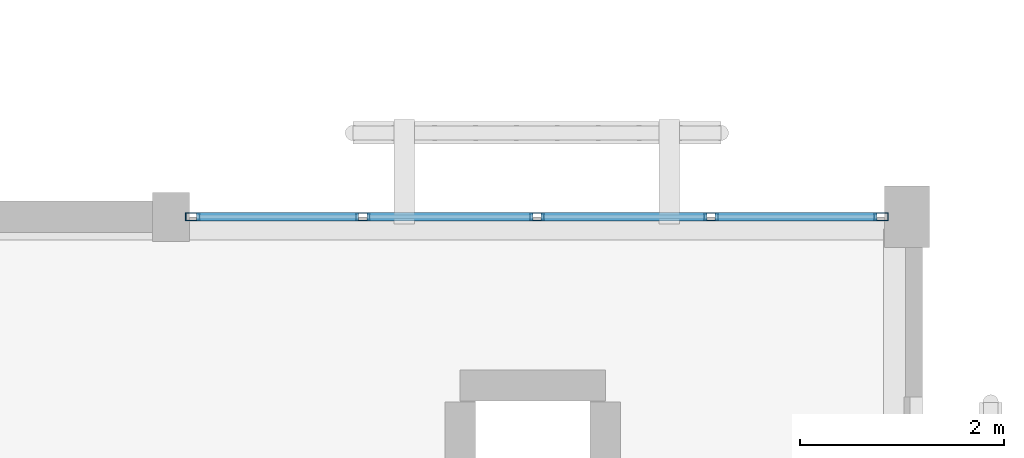
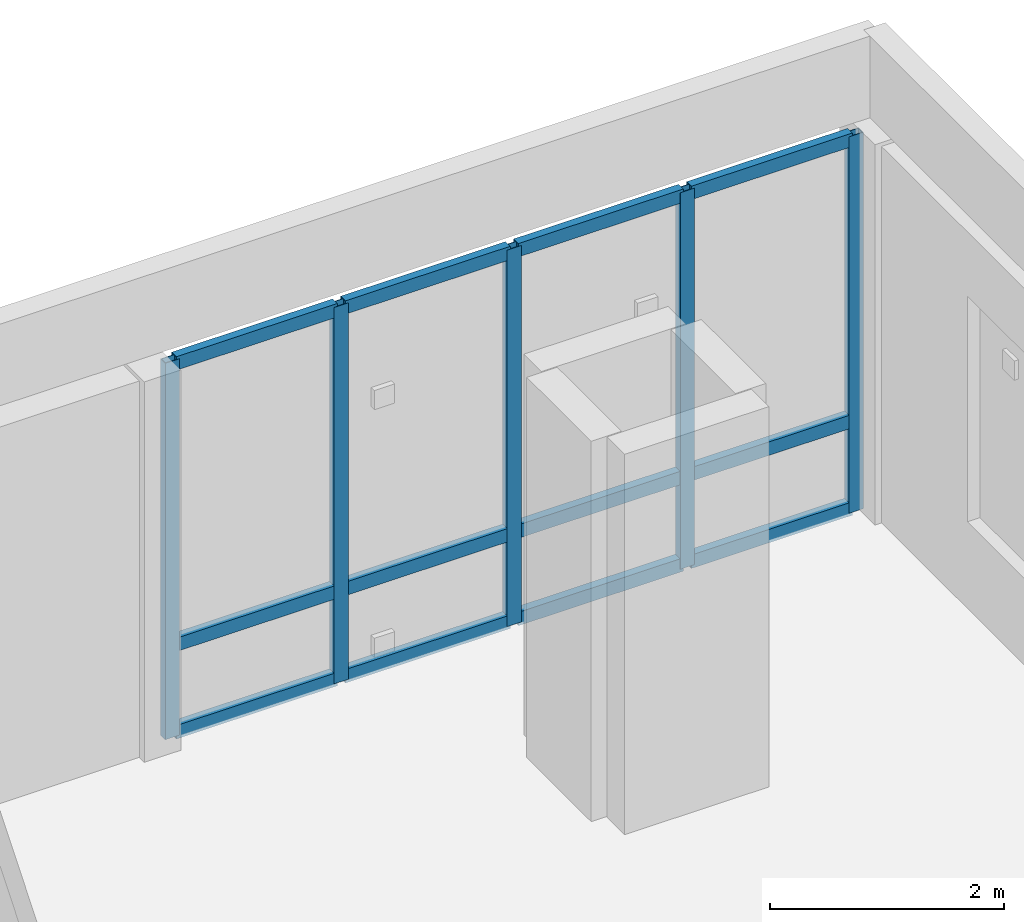
# One storey, part 160 of 217: 17 members, 1 element without a shape of its own.
"""IFC4 building model written with IfcOpenShell, lengths in metres."""

from ifc_helpers import new_model, si_unit, direction, frame, origin, origin_2d, place, context, subcontext, project, spatial, hollow_rectangle, extrude, material, layer, layer_set, material_profile, profile_set, type_object, element, aggregate, save


model = new_model("IFC4")

# Units and contexts
model_context = context("Model", 3, precision=1e-05, world=origin(), true_north=direction((0.0, 1.0)))
body_context = subcontext(model_context, "Body", "Model", "MODEL_VIEW")
ifc_project = project(units=[si_unit("LENGTHUNIT", "METRE"), si_unit("AREAUNIT", "SQUARE_METRE"), si_unit("VOLUMEUNIT", "CUBIC_METRE"), si_unit("PLANEANGLEUNIT", "RADIAN"), si_unit("MASSUNIT", "GRAM", prefix="KILO")], contexts=[model_context])

# Site, building, storey
site_placement = place(None, origin())
site = spatial("IfcSite", under=ifc_project, at=site_placement, CompositionType="ELEMENT")
building_placement = place(site_placement, origin())
building = spatial("IfcBuilding", under=site, at=building_placement, Name="Mazaris Harbour Polytechnic", CompositionType="ELEMENT")
storey_placement = place(building_placement, frame((0.0, 0.0, 9.60009765625)))
storey = spatial("IfcBuildingStorey", under=building, at=storey_placement, Name="L02", CompositionType="ELEMENT", Elevation=9.60009765625)

# Curtain wall, members
ifc_material_1 = material(Name="Anodised Bronze Aluminium and Low-E Glass", Category="aluminium")
ifc_layer = layer(ifc_material_1, 0.169921875, Name="Anodised Bronze Aluminium and Low-E Glass")
ifc_layer_set = layer_set([ifc_layer], Name="Anodised Bronze Aluminium and Low-E Glass")
curtain_wall_type = type_object("IfcCurtainWallType", Name="Studio North-Light Curtain Wall", PredefinedType="NOTDEFINED", material=ifc_layer_set)
curtain_wall_placement = place(storey_placement, origin())
curtain_wall = element("IfcCurtainWall", 1, at=curtain_wall_placement, inside=storey, type_object=curtain_wall_type, Name="V5 L02 Curtain Wall 230", PredefinedType="NOTDEFINED")
ifc_material_2 = material(Name="Anodised Bronze Steel S355", Category="steel")
ifc_material_profile_1 = material_profile(ifc_material_2, hollow_rectangle(XDim=0.080078125, YDim=0.139892578125, WallThickness=0.00634765625, at=origin_2d()), Name="RHS 80x140x6.3")
ifc_profile_set_1 = profile_set([ifc_material_profile_1], Name="Anodised Bronze Steel S355")
member_type_1 = type_object("IfcMemberType", Name="Curtain Mullion RHS80x140", PredefinedType="MULLION", material=ifc_profile_set_1)
member_1_placement = place(storey_placement, frame((165.81201171875, 108.0, 0.0), z_axis=(0.0, 0.0, 1.0), x_axis=(0.0, 1.0, 0.0)))
member_1 = element("IfcMember", 2, at=member_1_placement, type_object=member_type_1, Name="CW-03 mullion 1", PredefinedType="MULLION", context=body_context, shape_type="SweptSolid", body=[
    extrude(hollow_rectangle(XDim=0.080078125, YDim=0.139892578125, WallThickness=0.00634765625, at=origin_2d()), origin(), (0.0, 0.0, 1.0), 3.919921875),
])
member_2_placement = place(storey_placement, frame((167.47607421875, 108.0, 0.0), z_axis=(0.0, 0.0, 1.0), x_axis=(0.0, 1.0, 0.0)))
member_2 = element("IfcMember", 3, at=member_2_placement, type_object=member_type_1, Name="CW-03 mullion 2", PredefinedType="MULLION", context=body_context, shape_type="SweptSolid", body=[
    extrude(hollow_rectangle(XDim=0.080078125, YDim=0.139892578125, WallThickness=0.00634765625, at=origin_2d()), origin(), (0.0, 0.0, 1.0), 3.919921875),
])
member_3_placement = place(storey_placement, frame((169.179931640625, 108.0, 0.0), z_axis=(0.0, 0.0, 1.0), x_axis=(0.0, 1.0, 0.0)))
member_3 = element("IfcMember", 4, at=member_3_placement, type_object=member_type_1, Name="CW-03 mullion 3", PredefinedType="MULLION", context=body_context, shape_type="SweptSolid", body=[
    extrude(hollow_rectangle(XDim=0.080078125, YDim=0.139892578125, WallThickness=0.00634765625, at=origin_2d()), origin(), (0.0, 0.0, 1.0), 3.919921875),
])
member_4_placement = place(storey_placement, frame((170.884033203125, 108.0, 0.0), z_axis=(0.0, 0.0, 1.0), x_axis=(0.0, 1.0, 0.0)))
member_4 = element("IfcMember", 5, at=member_4_placement, type_object=member_type_1, Name="CW-03 mullion 4", PredefinedType="MULLION", context=body_context, shape_type="SweptSolid", body=[
    extrude(hollow_rectangle(XDim=0.080078125, YDim=0.139892578125, WallThickness=0.00634765625, at=origin_2d()), origin(), (0.0, 0.0, 1.0), 3.919921875),
])
member_5_placement = place(storey_placement, frame((172.548095703125, 108.0, 0.0), z_axis=(0.0, 0.0, 1.0), x_axis=(0.0, 1.0, 0.0)))
member_5 = element("IfcMember", 6, at=member_5_placement, type_object=member_type_1, Name="CW-03 mullion 5", PredefinedType="MULLION", context=body_context, shape_type="SweptSolid", body=[
    extrude(hollow_rectangle(XDim=0.080078125, YDim=0.139892578125, WallThickness=0.00634765625, at=origin_2d()), origin(), (0.0, 0.0, 1.0), 3.919921875),
])
ifc_material_3 = material(Name="Anodised Bronze Steel S355", Category="steel")
ifc_material_profile_2 = material_profile(ifc_material_3, hollow_rectangle(XDim=0.080078125, YDim=0.139892578125, WallThickness=0.00634765625, at=origin_2d()), Name="RHS 80x140x6.3")
ifc_profile_set_2 = profile_set([ifc_material_profile_2], Name="Anodised Bronze Steel S355")
member_type_2 = type_object("IfcMemberType", Name="Curtain Transom RHS80x140", PredefinedType="USERDEFINED", material=ifc_profile_set_2)
member_6_placement = place(storey_placement, frame((165.85205078125, 108.0, 0.039794921875), z_axis=(1.0, 0.0, 0.0), x_axis=(0.0, 1.0, 0.0)))
member_6 = element("IfcMember", 7, at=member_6_placement, type_object=member_type_2, Name="CW-03 transom 1.1", ObjectType="TRANSOM", PredefinedType="USERDEFINED", context=body_context, shape_type="SweptSolid", body=[
    extrude(hollow_rectangle(XDim=0.080078125, YDim=0.139892578125, WallThickness=0.00634765625, at=origin_2d()), origin(), (0.0, 0.0, 1.0), 1.583984375),
])
member_7_placement = place(storey_placement, frame((165.85205078125, 108.0, 0.949951171875), z_axis=(1.0, 0.0, 0.0), x_axis=(0.0, 1.0, 0.0)))
member_7 = element("IfcMember", 8, at=member_7_placement, type_object=member_type_2, Name="CW-03 transom 1.2", ObjectType="TRANSOM", PredefinedType="USERDEFINED", context=body_context, shape_type="SweptSolid", body=[
    extrude(hollow_rectangle(XDim=0.080078125, YDim=0.139892578125, WallThickness=0.00634765625, at=origin_2d()), origin(), (0.0, 0.0, 1.0), 1.583984375),
])
member_8_placement = place(storey_placement, frame((165.85205078125, 108.0, 3.8798828125), z_axis=(1.0, 0.0, 0.0), x_axis=(0.0, 1.0, 0.0)))
member_8 = element("IfcMember", 9, at=member_8_placement, type_object=member_type_2, Name="CW-03 transom 1.3", ObjectType="TRANSOM", PredefinedType="USERDEFINED", context=body_context, shape_type="SweptSolid", body=[
    extrude(hollow_rectangle(XDim=0.080078125, YDim=0.139892578125, WallThickness=0.00634765625, at=origin_2d()), origin(), (0.0, 0.0, 1.0), 1.583984375),
])
member_9_placement = place(storey_placement, frame((167.51611328125, 108.0, 0.039794921875), z_axis=(1.0, 0.0, 0.0), x_axis=(0.0, 1.0, 0.0)))
member_9 = element("IfcMember", 10, at=member_9_placement, type_object=member_type_2, Name="CW-03 transom 2.1", ObjectType="TRANSOM", PredefinedType="USERDEFINED", context=body_context, shape_type="SweptSolid", body=[
    extrude(hollow_rectangle(XDim=0.080078125, YDim=0.139892578125, WallThickness=0.00634765625, at=origin_2d()), origin(), (0.0, 0.0, 1.0), 1.623779296875),
])
member_10_placement = place(storey_placement, frame((167.51611328125, 108.0, 0.949951171875), z_axis=(1.0, 0.0, 0.0), x_axis=(0.0, 1.0, 0.0)))
member_10 = element("IfcMember", 11, at=member_10_placement, type_object=member_type_2, Name="CW-03 transom 2.2", ObjectType="TRANSOM", PredefinedType="USERDEFINED", context=body_context, shape_type="SweptSolid", body=[
    extrude(hollow_rectangle(XDim=0.080078125, YDim=0.139892578125, WallThickness=0.00634765625, at=origin_2d()), origin(), (0.0, 0.0, 1.0), 1.623779296875),
])
member_11_placement = place(storey_placement, frame((167.51611328125, 108.0, 3.8798828125), z_axis=(1.0, 0.0, 0.0), x_axis=(0.0, 1.0, 0.0)))
member_11 = element("IfcMember", 12, at=member_11_placement, type_object=member_type_2, Name="CW-03 transom 2.3", ObjectType="TRANSOM", PredefinedType="USERDEFINED", context=body_context, shape_type="SweptSolid", body=[
    extrude(hollow_rectangle(XDim=0.080078125, YDim=0.139892578125, WallThickness=0.00634765625, at=origin_2d()), origin(), (0.0, 0.0, 1.0), 1.623779296875),
])
member_12_placement = place(storey_placement, frame((169.219970703125, 108.0, 0.039794921875), z_axis=(1.0, 0.0, 0.0), x_axis=(0.0, 1.0, 0.0)))
member_12 = element("IfcMember", 13, at=member_12_placement, type_object=member_type_2, Name="CW-03 transom 3.1", ObjectType="TRANSOM", PredefinedType="USERDEFINED", context=body_context, shape_type="SweptSolid", body=[
    extrude(hollow_rectangle(XDim=0.080078125, YDim=0.139892578125, WallThickness=0.00634765625, at=origin_2d()), origin(), (0.0, 0.0, 1.0), 1.6240234375),
])
member_13_placement = place(storey_placement, frame((169.219970703125, 108.0, 0.949951171875), z_axis=(1.0, 0.0, 0.0), x_axis=(0.0, 1.0, 0.0)))
member_13 = element("IfcMember", 14, at=member_13_placement, type_object=member_type_2, Name="CW-03 transom 3.2", ObjectType="TRANSOM", PredefinedType="USERDEFINED", context=body_context, shape_type="SweptSolid", body=[
    extrude(hollow_rectangle(XDim=0.080078125, YDim=0.139892578125, WallThickness=0.00634765625, at=origin_2d()), origin(), (0.0, 0.0, 1.0), 1.6240234375),
])
member_14_placement = place(storey_placement, frame((169.219970703125, 108.0, 3.8798828125), z_axis=(1.0, 0.0, 0.0), x_axis=(0.0, 1.0, 0.0)))
member_14 = element("IfcMember", 15, at=member_14_placement, type_object=member_type_2, Name="CW-03 transom 3.3", ObjectType="TRANSOM", PredefinedType="USERDEFINED", context=body_context, shape_type="SweptSolid", body=[
    extrude(hollow_rectangle(XDim=0.080078125, YDim=0.139892578125, WallThickness=0.00634765625, at=origin_2d()), origin(), (0.0, 0.0, 1.0), 1.6240234375),
])
member_15_placement = place(storey_placement, frame((170.924072265625, 108.0, 0.039794921875), z_axis=(1.0, 0.0, 0.0), x_axis=(0.0, 1.0, 0.0)))
member_15 = element("IfcMember", 16, at=member_15_placement, type_object=member_type_2, Name="CW-03 transom 4.1", ObjectType="TRANSOM", PredefinedType="USERDEFINED", context=body_context, shape_type="SweptSolid", body=[
    extrude(hollow_rectangle(XDim=0.080078125, YDim=0.139892578125, WallThickness=0.00634765625, at=origin_2d()), origin(), (0.0, 0.0, 1.0), 1.583984375),
])
member_16_placement = place(storey_placement, frame((170.924072265625, 108.0, 0.949951171875), z_axis=(1.0, 0.0, 0.0), x_axis=(0.0, 1.0, 0.0)))
member_16 = element("IfcMember", 17, at=member_16_placement, type_object=member_type_2, Name="CW-03 transom 4.2", ObjectType="TRANSOM", PredefinedType="USERDEFINED", context=body_context, shape_type="SweptSolid", body=[
    extrude(hollow_rectangle(XDim=0.080078125, YDim=0.139892578125, WallThickness=0.00634765625, at=origin_2d()), origin(), (0.0, 0.0, 1.0), 1.583984375),
])
member_17_placement = place(storey_placement, frame((170.924072265625, 108.0, 3.8798828125), z_axis=(1.0, 0.0, 0.0), x_axis=(0.0, 1.0, 0.0)))
member_17 = element("IfcMember", 18, at=member_17_placement, type_object=member_type_2, Name="CW-03 transom 4.3", ObjectType="TRANSOM", PredefinedType="USERDEFINED", context=body_context, shape_type="SweptSolid", body=[
    extrude(hollow_rectangle(XDim=0.080078125, YDim=0.139892578125, WallThickness=0.00634765625, at=origin_2d()), origin(), (0.0, 0.0, 1.0), 1.583984375),
])
aggregate(curtain_wall, [member_1, member_2, member_3, member_4, member_5, member_6, member_7, member_8, member_9, member_10, member_11, member_12, member_13, member_14, member_15, member_16, member_17])

save(model, "model.ifc")
